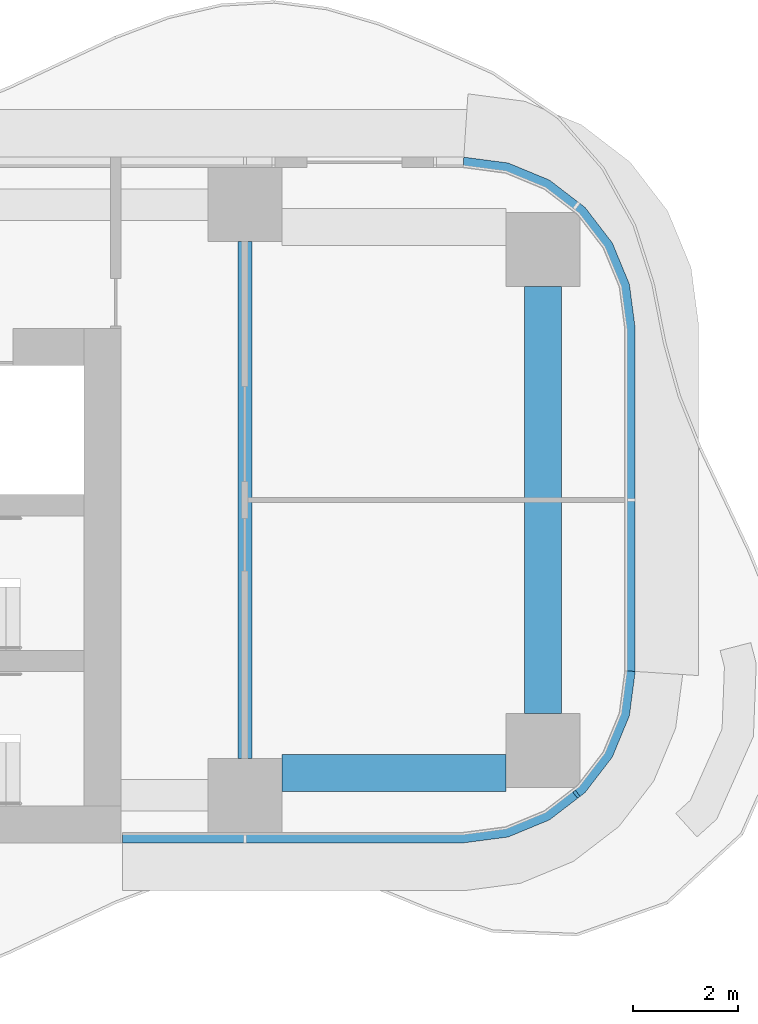
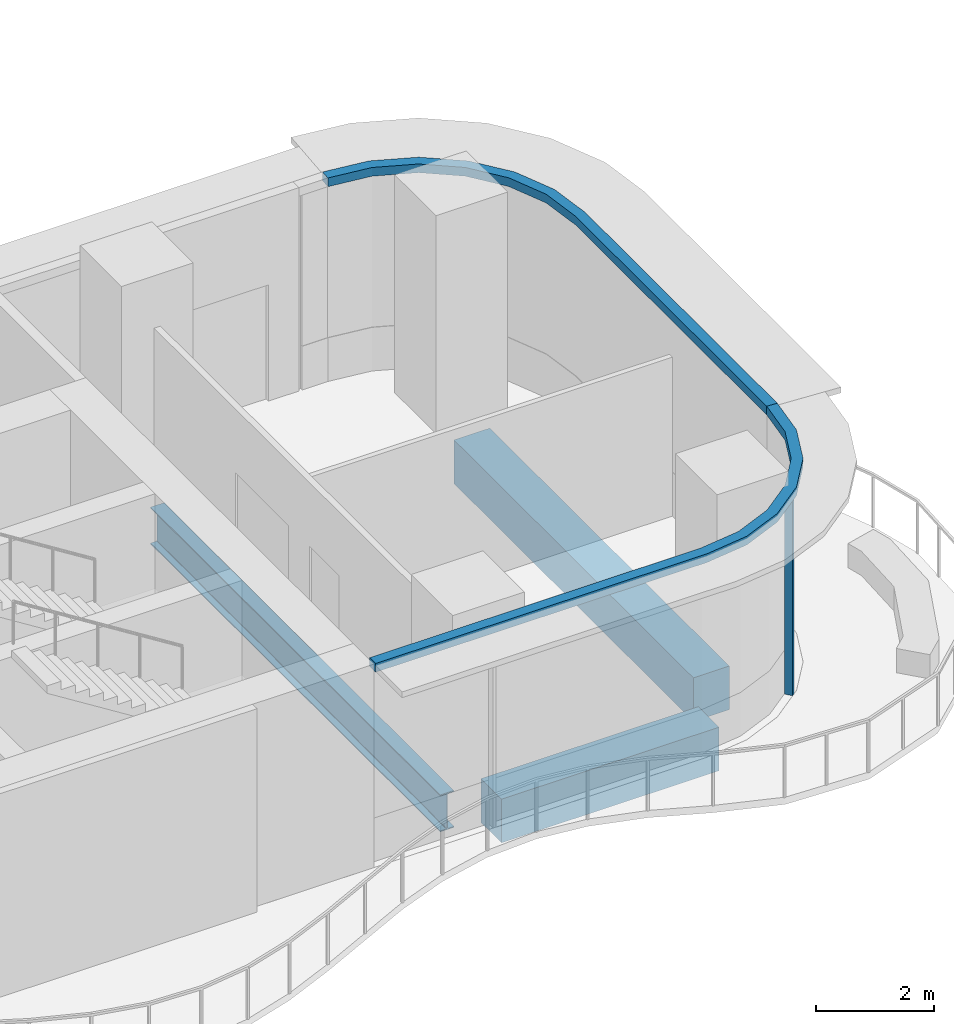
# One storey, part 7 of 22: 3 beams, 3 members, 2 elements without a shape of their own.
"""IFC4 building model written with IfcOpenShell, lengths in metres."""

from ifc_helpers import new_model, si_unit, direction, frame, origin, origin_2d, place, context, subcontext, project, spatial, polyline, rectangle, i_section, outline, extrude, source, transform, mapped, material, layer, layer_set, material_profile, profile_set, type_object, element, aggregate, save


model = new_model("IFC4")

# Units and contexts
model_context = context("Model", 3, precision=1e-05, world=origin(), true_north=direction((0.0, 1.0)))
body_context = subcontext(model_context, "Body", "Model", "MODEL_VIEW")
ifc_project = project(units=[si_unit("LENGTHUNIT", "METRE"), si_unit("AREAUNIT", "SQUARE_METRE"), si_unit("VOLUMEUNIT", "CUBIC_METRE"), si_unit("PLANEANGLEUNIT", "RADIAN"), si_unit("MASSUNIT", "GRAM", prefix="KILO")], contexts=[model_context])

# Site, building, storey
site_placement = place(None, origin())
site = spatial("IfcSite", under=ifc_project, at=site_placement, CompositionType="ELEMENT")
building_placement = place(site_placement, origin())
building = spatial("IfcBuilding", under=site, at=building_placement, Name="Trellis Farm Tower", CompositionType="ELEMENT")
storey_placement = place(building_placement, frame((0.0, 0.0, 88.0)))
storey = spatial("IfcBuildingStorey", under=building, at=storey_placement, Name="L18", CompositionType="ELEMENT", Elevation=88.0)

# Beams
ifc_material_1 = material(Name="Steel S355", Category="steel")
ifc_material_profile_1 = material_profile(ifc_material_1, i_section(OverallWidth=0.2666015625, OverallDepth=0.76220703125, WebThickness=0.014404296875, FlangeThickness=0.021484375, FilletRadius=0.0166015625, at=origin_2d()), Name="UB 762x267x173")
ifc_profile_set_1 = profile_set([ifc_material_profile_1], Name="Steel S355")
beam_type_1 = type_object("IfcBeamType", Name="UB 762x267x173", PredefinedType="BEAM", material=ifc_profile_set_1)
shared_shape_1 = source(origin(), body_context, "Body", "SweptSolid", [
    extrude(i_section(OverallWidth=0.2666015625, OverallDepth=0.76220703125, WebThickness=0.014404296875, FlangeThickness=0.021484375, FilletRadius=0.0166015625, at=origin_2d()), origin(), (0.0, 0.0, 1.0), 9.7998046875),
])
beam_1_placement = place(storey_placement, frame((25.10009765625, -4.89990234375, -0.631103515625), z_axis=(0.0, 1.0, 0.0), x_axis=(-1.0, 0.0, 0.0)))
element("IfcBeam", 1, at=beam_1_placement, inside=storey, type_object=beam_type_1, Name="Girder", PredefinedType="BEAM", context=body_context, shape_type="MappedRepresentation", body=[
    mapped(shared_shape_1, transform((0.0, 0.0, 0.0))),
])
ifc_material_2 = material(Name="Concrete C60/75", Category="concrete")
ifc_material_profile_2 = material_profile(ifc_material_2, rectangle(XDim=0.699951171875, YDim=0.89990234375, at=origin_2d()), Name="RC spandrel beam 700x900 C60/75")
ifc_profile_set_2 = profile_set([ifc_material_profile_2], Name="Concrete C60/75")
beam_type_2 = type_object("IfcBeamType", Name="RC spandrel beam 700x900 C60/75", PredefinedType="SPANDREL", material=ifc_profile_set_2)
shared_shape_2 = source(origin(), body_context, "Body", "SweptSolid", [
    extrude(rectangle(XDim=0.699951171875, YDim=0.89990234375, at=origin_2d()), origin(), (0.0, 0.0, 1.0), 4.25),
])
beam_2_placement = place(storey_placement, frame((25.800048828125, -5.175048828125, -0.699951171875), z_axis=(1.0, 0.0, 0.0), x_axis=(0.0, 1.0, 0.0)))
element("IfcBeam", 2, at=beam_2_placement, inside=storey, type_object=beam_type_2, Name="Girder", PredefinedType="SPANDREL", context=body_context, shape_type="MappedRepresentation", body=[
    mapped(shared_shape_2, transform((0.0, 0.0, 0.0))),
])
shared_shape_3 = source(origin(), body_context, "Body", "SweptSolid", [
    extrude(rectangle(XDim=0.699951171875, YDim=0.89990234375, at=origin_2d()), origin(), (0.0, 0.0, 1.0), 8.10009765625),
])
beam_3_placement = place(storey_placement, frame((30.75, -4.050048828125, -0.699951171875), z_axis=(0.0, 1.0, 0.0), x_axis=(-1.0, 0.0, 0.0)))
element("IfcBeam", 3, at=beam_3_placement, inside=storey, type_object=beam_type_2, Name="Girder", PredefinedType="SPANDREL", context=body_context, shape_type="MappedRepresentation", body=[
    mapped(shared_shape_3, transform((0.0, 0.0, 0.0))),
])

# Curtain wall, member
ifc_material_3 = material(Name="Aluminium and glass curtain wall", Category="aluminium")
ifc_layer_1 = layer(ifc_material_3, 0.18994140625)
ifc_layer_set_1 = layer_set([ifc_layer_1], Name="RIBBON CURTAIN WALL CW1")
curtain_wall_type = type_object("IfcCurtainWallType", Name="RIBBON CURTAIN WALL CW1", PredefinedType="NOTDEFINED", material=ifc_layer_set_1)
placement_1 = place(storey_placement, origin())
curtain_wall_1 = element("IfcCurtainWall", 4, at=placement_1, inside=storey, type_object=curtain_wall_type, Name="CW1 005", PredefinedType="NOTDEFINED")
ifc_material_4 = material(Name="Aluminium extrusion 6063-T6", Category="aluminium")
ifc_layer_2 = layer(ifc_material_4, 0.199951171875)
ifc_layer_set_2 = layer_set([ifc_layer_2], Name="Aluminium extrusion 6063-T6")
member_type_1 = type_object("IfcMemberType", Name="CW1 TRANSOM 200x180", PredefinedType="USERDEFINED", material=ifc_layer_set_2)
shared_shape_4 = source(origin(), body_context, "Body", "SweptSolid", [
    extrude(outline(polyline([(22.780029296875, -6.5), (29.25, -6.5), (30.091064453125, -6.38916015625), (30.875, -6.064697265625), (31.548095703125, -5.548095703125), (32.064697265625, -4.875), (32.38916015625, -4.091064453125), (32.5, -3.25), (32.300048828125, -3.23681640625), (32.1943359375, -4.0390625), (31.889892578125, -4.774169921875), (31.405517578125, -5.405517578125), (30.774169921875, -5.889892578125), (30.0390625, -6.1943359375), (29.23681640625, -6.300048828125), (22.780029296875, -6.300048828125), (22.780029296875, -6.5)])), origin(), (0.0, 0.0, 1.0), 0.179931640625),
])
placement_2 = place(storey_placement, frame((0.0, 0.0, 4.02001953125)))
member_1 = element("IfcMember", 5, at=placement_2, type_object=member_type_1, Name="TR1 005", ObjectType="TRANSOM", PredefinedType="USERDEFINED", context=body_context, shape_type="MappedRepresentation", body=[
    mapped(shared_shape_4, transform((0.0, 0.0, 0.0))),
])

curtain_wall_2 = element("IfcCurtainWall", 6, at=placement_1, inside=storey, type_object=curtain_wall_type, Name="CW1 006", PredefinedType="NOTDEFINED")
shared_shape_5 = source(origin(), body_context, "Body", "SweptSolid", [
    extrude(outline(polyline([(32.5, -3.25), (32.5, 3.25), (32.38916015625, 4.091064453125), (32.064697265625, 4.875), (31.548095703125, 5.548095703125), (30.875, 6.064697265625), (30.091064453125, 6.38916015625), (29.25, 6.5), (29.23681640625, 6.300048828125), (30.0390625, 6.1943359375), (30.774169921875, 5.889892578125), (31.405517578125, 5.405517578125), (31.889892578125, 4.774169921875), (32.1943359375, 4.0390625), (32.300048828125, 3.23681640625), (32.300048828125, -3.23681640625), (32.5, -3.25)])), origin(), (0.0, 0.0, 1.0), 0.179931640625),
])
member_2 = element("IfcMember", 7, at=placement_2, type_object=member_type_1, Name="TR1 006", ObjectType="TRANSOM", PredefinedType="USERDEFINED", context=body_context, shape_type="MappedRepresentation", body=[
    mapped(shared_shape_5, transform((0.0, 0.0, 0.0))),
])
aggregate(curtain_wall_2, [member_2])

# Member
ifc_material_profile_3 = material_profile(ifc_material_4, rectangle(XDim=0.06005859375, YDim=0.14990234375, at=origin_2d()), Name="MULLION 60x150")
ifc_profile_set_3 = profile_set([ifc_material_profile_3], Name="Aluminium extrusion 6063-T6")
member_type_2 = type_object("IfcMemberType", Name="CW1 MULLION 60x150", PredefinedType="MULLION", material=ifc_profile_set_3)
shared_shape_6 = source(origin(), body_context, "Body", "SweptSolid", [
    extrude(rectangle(XDim=0.06005859375, YDim=0.14990234375, at=origin_2d()), origin(), (0.0, 0.0, 1.0), 4.02001953125),
])
member_3_placement = place(storey_placement, frame((31.385498046875, -5.578369140625, 0.0), z_axis=(0.0, 0.0, 1.0), x_axis=(0.793353340291, 0.608761429009, 0.0)))
member_3 = element("IfcMember", 8, at=member_3_placement, type_object=member_type_2, Name="MU1 005-02", PredefinedType="MULLION", context=body_context, shape_type="MappedRepresentation", body=[
    mapped(shared_shape_6, transform((0.0, 0.0, 0.0))),
])

aggregate(curtain_wall_1, [member_3, member_1])

save(model, "model.ifc")
